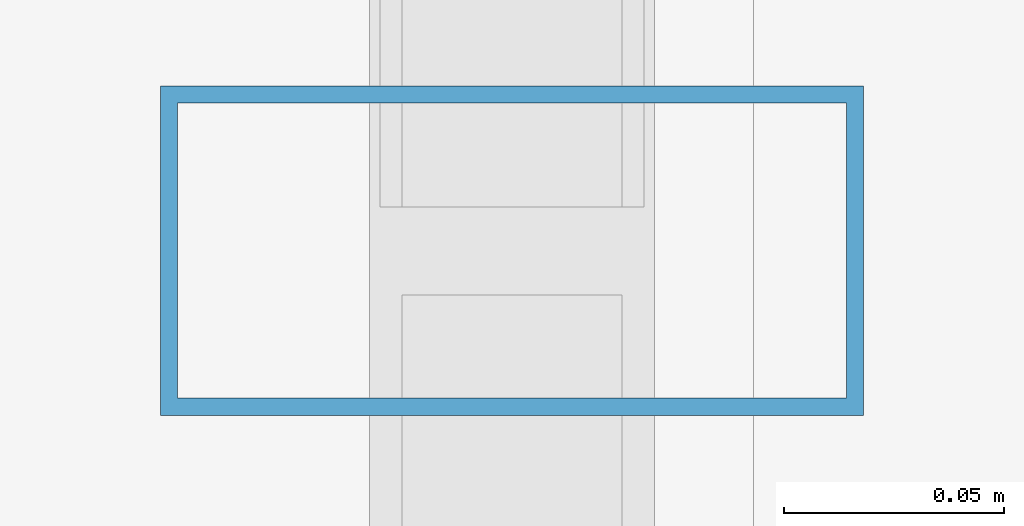
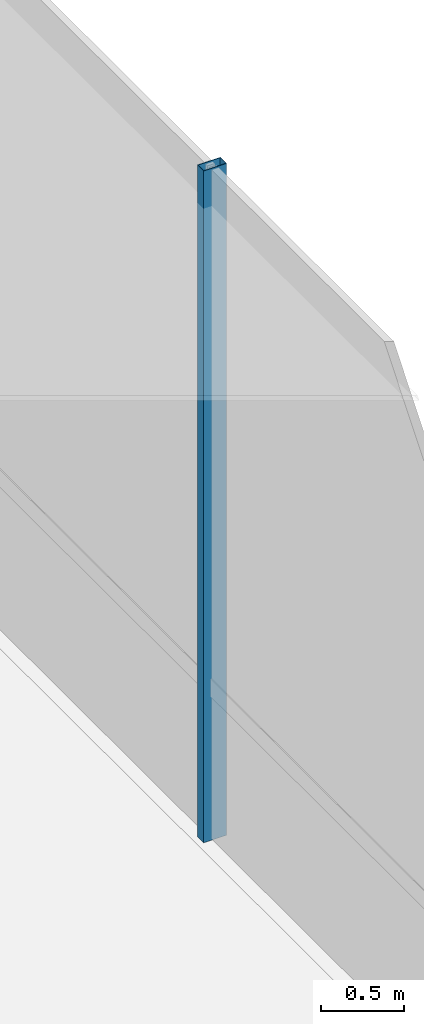
# One storey, part 22 of 39: 1 member, 1 element without a shape of its own.
"""IFC4 building model written with IfcOpenShell, lengths in metres."""

from ifc_helpers import new_model, si_unit, direction, frame, origin, origin_2d, place, context, subcontext, project, spatial, hollow_rectangle, extrude, source, transform, mapped, material, material_profile, profile_set, type_object, element, aggregate, save


model = new_model("IFC4")

# Units and contexts
model_context = context("Model", 3, precision=1e-05, world=origin(), true_north=direction((0.0, 1.0)))
body_context = subcontext(model_context, "Body", "Model", "MODEL_VIEW")
ifc_project = project(units=[si_unit("LENGTHUNIT", "METRE"), si_unit("AREAUNIT", "SQUARE_METRE"), si_unit("VOLUMEUNIT", "CUBIC_METRE"), si_unit("PLANEANGLEUNIT", "RADIAN"), si_unit("MASSUNIT", "GRAM", prefix="KILO")], contexts=[model_context])

# Site, building, storey
site_placement = place(None, origin())
site = spatial("IfcSite", under=ifc_project, at=site_placement, CompositionType="ELEMENT")
building_placement = place(site_placement, origin())
building = spatial("IfcBuilding", under=site, at=building_placement, Name="Valdorenza Pilgrim Sanctuary Tower", CompositionType="ELEMENT")
storey_placement = place(building_placement, frame((0.0, 0.0, 5.199951171875)))
storey = spatial("IfcBuildingStorey", under=building, at=storey_placement, Name="L01", CompositionType="ELEMENT", Elevation=5.199951171875)

# Curtain wall, member
ifc_material_1 = material(Name="Curtain-wall IGU glazing", Category="glass")
curtain_wall_type = type_object("IfcCurtainWallType", Name="CW-SYS-01", PredefinedType="NOTDEFINED", material=ifc_material_1)
curtain_wall_placement = place(storey_placement, origin())
curtain_wall = element("IfcCurtainWall", 1, at=curtain_wall_placement, inside=storey, type_object=curtain_wall_type, Name="L01 Curtain Wall CW-POD-L01-EE", PredefinedType="NOTDEFINED")
ifc_material_2 = material(Name="Anodised aluminium AW-6060", Category="aluminium")
ifc_material_profile = material_profile(ifc_material_2, hollow_rectangle(XDim=0.074951171875, YDim=0.159912109375, WallThickness=0.00390625, at=origin_2d()), Name="ALU-M 160x75x4")
ifc_profile_set = profile_set([ifc_material_profile], Name="Anodised aluminium AW-6060")
member_type = type_object("IfcMemberType", Name="CW-MUL-01", PredefinedType="MULLION", material=ifc_profile_set)
shared_shape = source(origin(), body_context, "Body", "SweptSolid", [
    extrude(hollow_rectangle(XDim=0.074951171875, YDim=0.159912109375, WallThickness=0.00390625, at=origin_2d()), origin(), (0.0, 0.0, 1.0), 4.920166015625),
])
member_placement = place(storey_placement, frame((33.85009765625, 4.666748046875, 0.0), z_axis=(0.0, 0.0, 1.0), x_axis=(0.0, 1.0, 0.0)))
member = element("IfcMember", 2, at=member_placement, type_object=member_type, Name="CW-POD-L01-EE Mullion 3", PredefinedType="MULLION", context=body_context, shape_type="MappedRepresentation", body=[
    mapped(shared_shape, transform((0.0, 0.0, 0.0), x_axis=(1.0, 0.0, 0.0), y_axis=(0.0, 1.0, 0.0), z_axis=(0.0, 0.0, 1.0), scale=1.0)),
])
aggregate(curtain_wall, [member])

save(model, "model.ifc")
